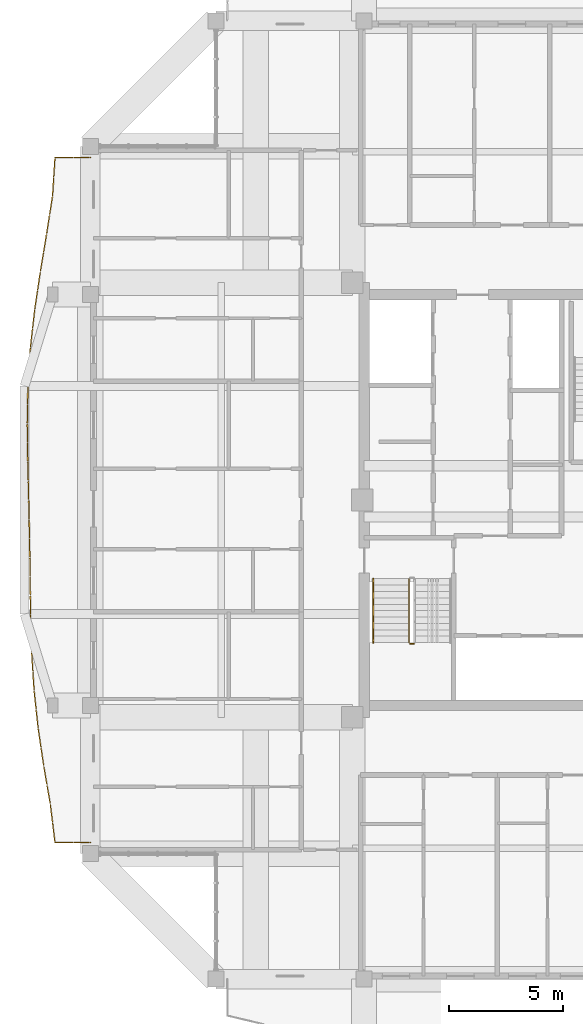
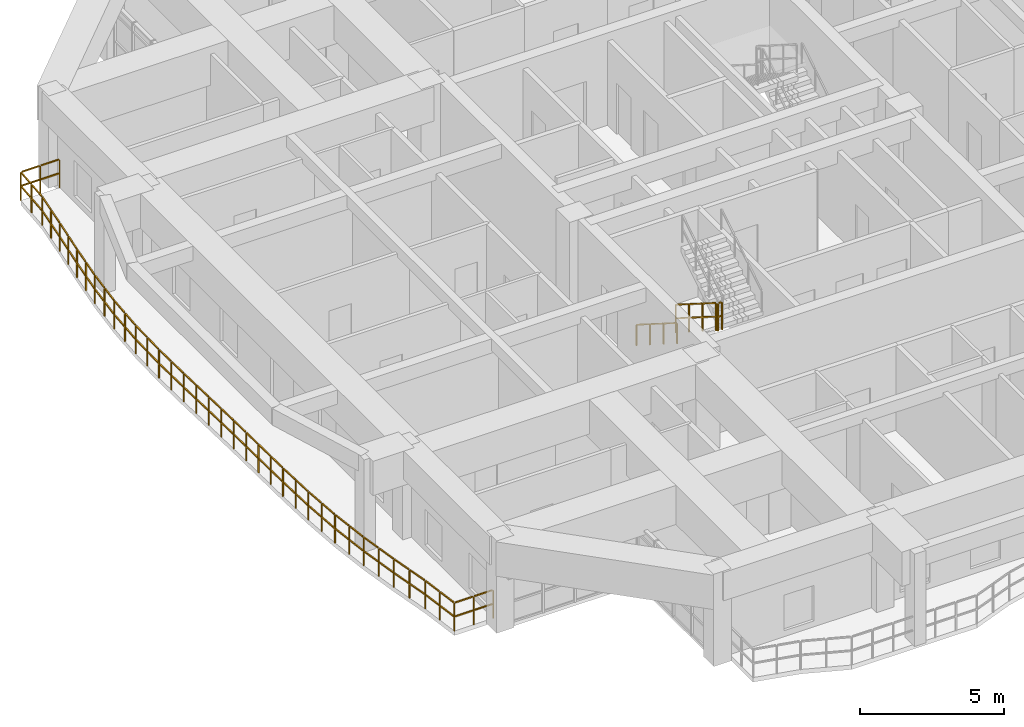
# One storey, part 19 of 22: 4 railings.
"""IFC4 building model written with IfcOpenShell, lengths in metres."""

from ifc_helpers import new_model, si_unit, direction, frame, origin, origin_2d, place, context, subcontext, project, spatial, rectangle, extrude, material, type_object, element, save


model = new_model("IFC4")

# Units and contexts
model_context = context("Model", 3, precision=1e-05, world=origin(), true_north=direction((0.0, 1.0)))
body_context = subcontext(model_context, "Body", "Model", "MODEL_VIEW")
ifc_project = project(units=[si_unit("LENGTHUNIT", "METRE"), si_unit("AREAUNIT", "SQUARE_METRE"), si_unit("VOLUMEUNIT", "CUBIC_METRE"), si_unit("PLANEANGLEUNIT", "RADIAN"), si_unit("MASSUNIT", "GRAM", prefix="KILO")], contexts=[model_context])

# Site, building, storey
site_placement = place(None, origin())
site = spatial("IfcSite", under=ifc_project, at=site_placement, CompositionType="ELEMENT")
building_placement = place(site_placement, origin())
building = spatial("IfcBuilding", under=site, at=building_placement, Name="Saelheon Loggia Tower", CompositionType="ELEMENT")
storey_placement = place(building_placement, frame((0.0, 0.0, 216.300048828125)))
storey = spatial("IfcBuildingStorey", under=building, at=storey_placement, Name="L67", CompositionType="ELEMENT", Elevation=216.300048828125)

# Railings
ifc_material_1 = material(Name="Architectural Precast Concrete and Laminated Glass Guard", Category="concrete")
railing_type_1 = type_object("IfcRailingType", Name="Guard_Loggia_RL_LOG", PredefinedType="BALUSTRADE", material=ifc_material_1)
railing_1_placement = place(storey_placement, frame((19.5, 42.0, 0.0)))
element("IfcRailing", 1, at=railing_1_placement, inside=storey, type_object=railing_type_1, Name="L67 West Loggia Balustrade", PredefinedType="BALUSTRADE", context=body_context, shape_type="SweptSolid", body=[
    extrude(rectangle(XDim=0.048095703125, YDim=0.048095703125, at=origin_2d()), frame((-0.033203125, 0.0, 1.19580078125), z_axis=(-1.0, 0.0, 0.0), x_axis=(0.0, -1.0, 0.0)), (0.0, 0.0, 1.0), 0.70849609375),
    extrude(rectangle(XDim=0.048095703125, YDim=0.048095703125, at=origin_2d()), frame((-0.033203125, 0.0, 0.60986328125), z_axis=(-1.0, 0.0, 0.0), x_axis=(0.0, -1.0, 0.0)), (0.0, 0.0, 1.0), 0.70849609375),
    extrude(rectangle(XDim=0.048095703125, YDim=0.048095703125, at=origin_2d()), frame((-0.808349609375, 0.0, 1.19580078125), z_axis=(-1.0, 0.0, 0.0), x_axis=(0.0, -1.0, 0.0)), (0.0, 0.0, 1.0), 0.70849609375),
    extrude(rectangle(XDim=0.048095703125, YDim=0.048095703125, at=origin_2d()), frame((-0.808349609375, 0.0, 0.60986328125), z_axis=(-1.0, 0.0, 0.0), x_axis=(0.0, -1.0, 0.0)), (0.0, 0.0, 1.0), 0.70849609375),
    extrude(rectangle(XDim=0.048095703125, YDim=0.048095703125, at=origin_2d()), frame((-1.55224609375, -0.033203125, 1.19580078125), z_axis=(-0.062860640859, -0.998022314295, 0.0), x_axis=(0.998022314295, -0.062860640859, 0.0)), (0.0, 0.0, 1.0), 0.7685546875),
    extrude(rectangle(XDim=0.048095703125, YDim=0.048095703125, at=origin_2d()), frame((-1.55224609375, -0.033203125, 0.60986328125), z_axis=(-0.062860640859, -0.998022314295, 0.0), x_axis=(0.998022314295, -0.062860640859, 0.0)), (0.0, 0.0, 1.0), 0.7685546875),
    extrude(rectangle(XDim=0.048095703125, YDim=0.048095703125, at=origin_2d()), frame((-1.604736328125, -0.866455078125, 1.19580078125), z_axis=(-0.062860640859, -0.998022314295, 0.0), x_axis=(0.998022314295, -0.062860640859, 0.0)), (0.0, 0.0, 1.0), 0.7685546875),
    extrude(rectangle(XDim=0.048095703125, YDim=0.048095703125, at=origin_2d()), frame((-1.604736328125, -0.866455078125, 0.60986328125), z_axis=(-0.062860640859, -0.998022314295, 0.0), x_axis=(0.998022314295, -0.062860640859, 0.0)), (0.0, 0.0, 1.0), 0.7685546875),
    extrude(rectangle(XDim=0.048095703125, YDim=0.048095703125, at=origin_2d()), frame((-1.66015625, -1.699462890625, 1.19580078125), z_axis=(-0.155145020329, -0.987891705941, 0.0), x_axis=(0.987891705941, -0.155145020329, 0.0)), (0.0, 0.0, 1.0), 0.777099609375),
    extrude(rectangle(XDim=0.048095703125, YDim=0.048095703125, at=origin_2d()), frame((-1.66015625, -1.699462890625, 0.60986328125), z_axis=(-0.155145020329, -0.987891705941, 0.0), x_axis=(0.987891705941, -0.155145020329, 0.0)), (0.0, 0.0, 1.0), 0.777099609375),
    extrude(rectangle(XDim=0.048095703125, YDim=0.048095703125, at=origin_2d()), frame((-1.791015625, -2.53271484375, 1.19580078125), z_axis=(-0.155145020329, -0.987891705941, 0.0), x_axis=(0.987891705941, -0.155145020329, 0.0)), (0.0, 0.0, 1.0), 0.777099609375),
    extrude(rectangle(XDim=0.048095703125, YDim=0.048095703125, at=origin_2d()), frame((-1.791015625, -2.53271484375, 0.60986328125), z_axis=(-0.155145020329, -0.987891705941, 0.0), x_axis=(0.987891705941, -0.155145020329, 0.0)), (0.0, 0.0, 1.0), 0.777099609375),
    extrude(rectangle(XDim=0.048095703125, YDim=0.048095703125, at=origin_2d()), frame((-1.922119140625, -3.365966796875, 1.19580078125), z_axis=(-0.162875459068, -0.986646636255, 0.0), x_axis=(0.986646636255, -0.162875459068, 0.0)), (0.0, 0.0, 1.0), 0.778076171875),
    extrude(rectangle(XDim=0.048095703125, YDim=0.048095703125, at=origin_2d()), frame((-1.922119140625, -3.365966796875, 0.60986328125), z_axis=(-0.162875459068, -0.986646636255, 0.0), x_axis=(0.986646636255, -0.162875459068, 0.0)), (0.0, 0.0, 1.0), 0.778076171875),
    extrude(rectangle(XDim=0.048095703125, YDim=0.048095703125, at=origin_2d()), frame((-2.059814453125, -4.199462890625, 1.19580078125), z_axis=(-0.162875459068, -0.986646636255, 0.0), x_axis=(0.986646636255, -0.162875459068, 0.0)), (0.0, 0.0, 1.0), 0.778076171875),
    extrude(rectangle(XDim=0.048095703125, YDim=0.048095703125, at=origin_2d()), frame((-2.059814453125, -4.199462890625, 0.60986328125), z_axis=(-0.162875459068, -0.986646636255, 0.0), x_axis=(0.986646636255, -0.162875459068, 0.0)), (0.0, 0.0, 1.0), 0.778076171875),
    extrude(rectangle(XDim=0.048095703125, YDim=0.048095703125, at=origin_2d()), frame((-2.19677734375, -5.032958984375, 1.19580078125), z_axis=(-0.147624907715, -0.989043419988, 0.0), x_axis=(0.989043419988, -0.147624907715, 0.0)), (0.0, 0.0, 1.0), 0.776123046875),
    extrude(rectangle(XDim=0.048095703125, YDim=0.048095703125, at=origin_2d()), frame((-2.19677734375, -5.032958984375, 0.60986328125), z_axis=(-0.147624907715, -0.989043419988, 0.0), x_axis=(0.989043419988, -0.147624907715, 0.0)), (0.0, 0.0, 1.0), 0.776123046875),
    extrude(rectangle(XDim=0.048095703125, YDim=0.048095703125, at=origin_2d()), frame((-2.3212890625, -5.8662109375, 1.19580078125), z_axis=(-0.147624907715, -0.989043419988, 0.0), x_axis=(0.989043419988, -0.147624907715, 0.0)), (0.0, 0.0, 1.0), 0.776123046875),
    extrude(rectangle(XDim=0.048095703125, YDim=0.048095703125, at=origin_2d()), frame((-2.3212890625, -5.8662109375, 0.60986328125), z_axis=(-0.147624907715, -0.989043419988, 0.0), x_axis=(0.989043419988, -0.147624907715, 0.0)), (0.0, 0.0, 1.0), 0.776123046875),
    extrude(rectangle(XDim=0.048095703125, YDim=0.048095703125, at=origin_2d()), frame((-2.4443359375, -6.69970703125, 1.19580078125), z_axis=(-0.111230457734, -0.993794639386, 0.0), x_axis=(0.993794639386, -0.111230457734, 0.0)), (0.0, 0.0, 1.0), 0.77197265625),
    extrude(rectangle(XDim=0.048095703125, YDim=0.048095703125, at=origin_2d()), frame((-2.4443359375, -6.69970703125, 0.60986328125), z_axis=(-0.111230457734, -0.993794639386, 0.0), x_axis=(0.993794639386, -0.111230457734, 0.0)), (0.0, 0.0, 1.0), 0.77197265625),
    extrude(rectangle(XDim=0.048095703125, YDim=0.048095703125, at=origin_2d()), frame((-2.53759765625, -7.532958984375, 1.19580078125), z_axis=(-0.111230457734, -0.993794639386, 0.0), x_axis=(0.993794639386, -0.111230457734, 0.0)), (0.0, 0.0, 1.0), 0.77197265625),
    extrude(rectangle(XDim=0.048095703125, YDim=0.048095703125, at=origin_2d()), frame((-2.53759765625, -7.532958984375, 0.60986328125), z_axis=(-0.111230457734, -0.993794639386, 0.0), x_axis=(0.993794639386, -0.111230457734, 0.0)), (0.0, 0.0, 1.0), 0.77197265625),
    extrude(rectangle(XDim=0.048095703125, YDim=0.048095703125, at=origin_2d()), frame((-2.62939453125, -8.366455078125, 1.19580078125), z_axis=(-0.063151852584, -0.998003929609, 0.0), x_axis=(0.998003929609, -0.063151852584, 0.0)), (0.0, 0.0, 1.0), 0.7685546875),
    extrude(rectangle(XDim=0.048095703125, YDim=0.048095703125, at=origin_2d()), frame((-2.62939453125, -8.366455078125, 0.60986328125), z_axis=(-0.063151852584, -0.998003929609, 0.0), x_axis=(0.998003929609, -0.063151852584, 0.0)), (0.0, 0.0, 1.0), 0.7685546875),
    extrude(rectangle(XDim=0.048095703125, YDim=0.048095703125, at=origin_2d()), frame((-2.68212890625, -9.19970703125, 1.19580078125), z_axis=(-0.063151852584, -0.998003929609, 0.0), x_axis=(0.998003929609, -0.063151852584, 0.0)), (0.0, 0.0, 1.0), 0.7685546875),
    extrude(rectangle(XDim=0.048095703125, YDim=0.048095703125, at=origin_2d()), frame((-2.68212890625, -9.19970703125, 0.60986328125), z_axis=(-0.063151852584, -0.998003929609, 0.0), x_axis=(0.998003929609, -0.063151852584, 0.0)), (0.0, 0.0, 1.0), 0.7685546875),
    extrude(rectangle(XDim=0.048095703125, YDim=0.048095703125, at=origin_2d()), frame((-2.733154296875, -10.033203125, 1.19580078125), z_axis=(-0.017574552025, -0.999845555634, 0.0), x_axis=(0.999845555634, -0.017574552025, 0.0)), (0.0, 0.0, 1.0), 0.76708984375),
    extrude(rectangle(XDim=0.048095703125, YDim=0.048095703125, at=origin_2d()), frame((-2.733154296875, -10.033203125, 0.60986328125), z_axis=(-0.017574552025, -0.999845555634, 0.0), x_axis=(0.999845555634, -0.017574552025, 0.0)), (0.0, 0.0, 1.0), 0.76708984375),
    extrude(rectangle(XDim=0.048095703125, YDim=0.048095703125, at=origin_2d()), frame((-2.747802734375, -10.86669921875, 1.19580078125), z_axis=(-0.017574552025, -0.999845555634, 0.0), x_axis=(0.999845555634, -0.017574552025, 0.0)), (0.0, 0.0, 1.0), 0.76708984375),
    extrude(rectangle(XDim=0.048095703125, YDim=0.048095703125, at=origin_2d()), frame((-2.747802734375, -10.86669921875, 0.60986328125), z_axis=(-0.017574552025, -0.999845555634, 0.0), x_axis=(0.999845555634, -0.017574552025, 0.0)), (0.0, 0.0, 1.0), 0.76708984375),
    extrude(rectangle(XDim=0.048095703125, YDim=0.048095703125, at=origin_2d()), frame((-2.761474609375, -11.699951171875, 1.19580078125), z_axis=(0.013623113053, -0.99990720109, 0.0), x_axis=(0.99990720109, 0.013623113053, 0.0)), (0.0, 0.0, 1.0), 0.766845703125),
    extrude(rectangle(XDim=0.048095703125, YDim=0.048095703125, at=origin_2d()), frame((-2.761474609375, -11.699951171875, 0.60986328125), z_axis=(0.013623113053, -0.99990720109, 0.0), x_axis=(0.99990720109, 0.013623113053, 0.0)), (0.0, 0.0, 1.0), 0.766845703125),
    extrude(rectangle(XDim=0.048095703125, YDim=0.048095703125, at=origin_2d()), frame((-2.750244140625, -12.533203125, 1.19580078125), z_axis=(0.013623113053, -0.99990720109, 0.0), x_axis=(0.99990720109, 0.013623113053, 0.0)), (0.0, 0.0, 1.0), 0.766845703125),
    extrude(rectangle(XDim=0.048095703125, YDim=0.048095703125, at=origin_2d()), frame((-2.750244140625, -12.533203125, 0.60986328125), z_axis=(0.013623113053, -0.99990720109, 0.0), x_axis=(0.99990720109, 0.013623113053, 0.0)), (0.0, 0.0, 1.0), 0.766845703125),
    extrude(rectangle(XDim=0.048095703125, YDim=0.048095703125, at=origin_2d()), frame((-2.738525390625, -13.366455078125, 1.19580078125), z_axis=(0.025186090256, -0.999682780115, 0.0), x_axis=(0.999682780115, 0.025186090256, 0.0)), (0.0, 0.0, 1.0), 0.76708984375),
    extrude(rectangle(XDim=0.048095703125, YDim=0.048095703125, at=origin_2d()), frame((-2.738525390625, -13.366455078125, 0.60986328125), z_axis=(0.025186090256, -0.999682780115, 0.0), x_axis=(0.999682780115, 0.025186090256, 0.0)), (0.0, 0.0, 1.0), 0.76708984375),
    extrude(rectangle(XDim=0.048095703125, YDim=0.048095703125, at=origin_2d()), frame((-2.717529296875, -14.199951171875, 1.19580078125), z_axis=(0.025186090256, -0.999682780115, 0.0), x_axis=(0.999682780115, 0.025186090256, 0.0)), (0.0, 0.0, 1.0), 0.76708984375),
    extrude(rectangle(XDim=0.048095703125, YDim=0.048095703125, at=origin_2d()), frame((-2.717529296875, -14.199951171875, 0.60986328125), z_axis=(0.025186090256, -0.999682780115, 0.0), x_axis=(0.999682780115, 0.025186090256, 0.0)), (0.0, 0.0, 1.0), 0.76708984375),
    extrude(rectangle(XDim=0.048095703125, YDim=0.048095703125, at=origin_2d()), frame((-2.696533203125, -15.033203125, 1.19580078125), z_axis=(0.021088029542, -0.999777622779, 0.0), x_axis=(0.999777622779, 0.021088029542, 0.0)), (0.0, 0.0, 1.0), 0.76708984375),
    extrude(rectangle(XDim=0.048095703125, YDim=0.048095703125, at=origin_2d()), frame((-2.696533203125, -15.033203125, 0.60986328125), z_axis=(0.021088029542, -0.999777622779, 0.0), x_axis=(0.999777622779, 0.021088029542, 0.0)), (0.0, 0.0, 1.0), 0.76708984375),
    extrude(rectangle(XDim=0.048095703125, YDim=0.048095703125, at=origin_2d()), frame((-2.678955078125, -15.86669921875, 1.19580078125), z_axis=(0.021088029542, -0.999777622779, 0.0), x_axis=(0.999777622779, 0.021088029542, 0.0)), (0.0, 0.0, 1.0), 0.76708984375),
    extrude(rectangle(XDim=0.048095703125, YDim=0.048095703125, at=origin_2d()), frame((-2.678955078125, -15.86669921875, 0.60986328125), z_axis=(0.021088029542, -0.999777622779, 0.0), x_axis=(0.999777622779, 0.021088029542, 0.0)), (0.0, 0.0, 1.0), 0.76708984375),
    extrude(rectangle(XDim=0.048095703125, YDim=0.048095703125, at=origin_2d()), frame((-2.66162109375, -16.699951171875, 1.19580078125), z_axis=(0.012744350207, -0.999918787471, 0.0), x_axis=(0.999918787471, 0.012744350207, 0.0)), (0.0, 0.0, 1.0), 0.766845703125),
    extrude(rectangle(XDim=0.048095703125, YDim=0.048095703125, at=origin_2d()), frame((-2.66162109375, -16.699951171875, 0.60986328125), z_axis=(0.012744350207, -0.999918787471, 0.0), x_axis=(0.999918787471, 0.012744350207, 0.0)), (0.0, 0.0, 1.0), 0.766845703125),
    extrude(rectangle(XDim=0.048095703125, YDim=0.048095703125, at=origin_2d()), frame((-2.651123046875, -17.533203125, 1.19580078125), z_axis=(0.012744350207, -0.999918787471, 0.0), x_axis=(0.999918787471, 0.012744350207, 0.0)), (0.0, 0.0, 1.0), 0.766845703125),
    extrude(rectangle(XDim=0.048095703125, YDim=0.048095703125, at=origin_2d()), frame((-2.651123046875, -17.533203125, 0.60986328125), z_axis=(0.012744350207, -0.999918787471, 0.0), x_axis=(0.999918787471, 0.012744350207, 0.0)), (0.0, 0.0, 1.0), 0.766845703125),
    extrude(rectangle(XDim=0.048095703125, YDim=0.048095703125, at=origin_2d()), frame((-2.640380859375, -18.366455078125, 1.19580078125), z_axis=(0.012156711099, -0.999926104457, 0.0), x_axis=(0.999926104457, 0.012156711099, 0.0)), (0.0, 0.0, 1.0), 0.766845703125),
    extrude(rectangle(XDim=0.048095703125, YDim=0.048095703125, at=origin_2d()), frame((-2.640380859375, -18.366455078125, 0.60986328125), z_axis=(0.012156711099, -0.999926104457, 0.0), x_axis=(0.999926104457, 0.012156711099, 0.0)), (0.0, 0.0, 1.0), 0.766845703125),
    extrude(rectangle(XDim=0.048095703125, YDim=0.048095703125, at=origin_2d()), frame((-2.63037109375, -19.199951171875, 1.19580078125), z_axis=(0.012156711099, -0.999926104457, 0.0), x_axis=(0.999926104457, 0.012156711099, 0.0)), (0.0, 0.0, 1.0), 0.766845703125),
    extrude(rectangle(XDim=0.048095703125, YDim=0.048095703125, at=origin_2d()), frame((-2.63037109375, -19.199951171875, 0.60986328125), z_axis=(0.012156711099, -0.999926104457, 0.0), x_axis=(0.999926104457, 0.012156711099, 0.0)), (0.0, 0.0, 1.0), 0.766845703125),
    extrude(rectangle(XDim=0.048095703125, YDim=0.048095703125, at=origin_2d()), frame((-2.61962890625, -20.033203125, 1.19580078125), z_axis=(0.028844006627, -0.999583925082, 0.0), x_axis=(0.999583925082, 0.028844006627, 0.0)), (0.0, 0.0, 1.0), 0.767333984375),
    extrude(rectangle(XDim=0.048095703125, YDim=0.048095703125, at=origin_2d()), frame((-2.61962890625, -20.033203125, 0.60986328125), z_axis=(0.028844006627, -0.999583925082, 0.0), x_axis=(0.999583925082, 0.028844006627, 0.0)), (0.0, 0.0, 1.0), 0.767333984375),
    extrude(rectangle(XDim=0.048095703125, YDim=0.048095703125, at=origin_2d()), frame((-2.595703125, -20.86669921875, 1.19580078125), z_axis=(0.028844006627, -0.999583925082, 0.0), x_axis=(0.999583925082, 0.028844006627, 0.0)), (0.0, 0.0, 1.0), 0.767333984375),
    extrude(rectangle(XDim=0.048095703125, YDim=0.048095703125, at=origin_2d()), frame((-2.595703125, -20.86669921875, 0.60986328125), z_axis=(0.028844006627, -0.999583925082, 0.0), x_axis=(0.999583925082, 0.028844006627, 0.0)), (0.0, 0.0, 1.0), 0.767333984375),
    extrude(rectangle(XDim=0.048095703125, YDim=0.048095703125, at=origin_2d()), frame((-2.5703125, -21.699951171875, 1.19580078125), z_axis=(0.063161067342, -0.998003346473, 0.0), x_axis=(0.998003346473, 0.063161067342, 0.0)), (0.0, 0.0, 1.0), 0.7685546875),
    extrude(rectangle(XDim=0.048095703125, YDim=0.048095703125, at=origin_2d()), frame((-2.5703125, -21.699951171875, 0.60986328125), z_axis=(0.063161067342, -0.998003346473, 0.0), x_axis=(0.998003346473, 0.063161067342, 0.0)), (0.0, 0.0, 1.0), 0.7685546875),
    extrude(rectangle(XDim=0.048095703125, YDim=0.048095703125, at=origin_2d()), frame((-2.517578125, -22.533203125, 1.19580078125), z_axis=(0.063161067342, -0.998003346473, 0.0), x_axis=(0.998003346473, 0.063161067342, 0.0)), (0.0, 0.0, 1.0), 0.7685546875),
    extrude(rectangle(XDim=0.048095703125, YDim=0.048095703125, at=origin_2d()), frame((-2.517578125, -22.533203125, 0.60986328125), z_axis=(0.063161067342, -0.998003346473, 0.0), x_axis=(0.998003346473, 0.063161067342, 0.0)), (0.0, 0.0, 1.0), 0.7685546875),
    extrude(rectangle(XDim=0.048095703125, YDim=0.048095703125, at=origin_2d()), frame((-2.46337890625, -23.3662109375, 1.19580078125), z_axis=(0.106754244284, -0.994285437552, 0.0), x_axis=(0.994285437552, 0.106754244284, 0.0)), (0.0, 0.0, 1.0), 0.771728515625),
    extrude(rectangle(XDim=0.048095703125, YDim=0.048095703125, at=origin_2d()), frame((-2.46337890625, -23.3662109375, 0.60986328125), z_axis=(0.106754244284, -0.994285437552, 0.0), x_axis=(0.994285437552, 0.106754244284, 0.0)), (0.0, 0.0, 1.0), 0.771728515625),
    extrude(rectangle(XDim=0.048095703125, YDim=0.048095703125, at=origin_2d()), frame((-2.3740234375, -24.19970703125, 1.19580078125), z_axis=(0.106754244284, -0.994285437552, 0.0), x_axis=(0.994285437552, 0.106754244284, 0.0)), (0.0, 0.0, 1.0), 0.771728515625),
    extrude(rectangle(XDim=0.048095703125, YDim=0.048095703125, at=origin_2d()), frame((-2.3740234375, -24.19970703125, 0.60986328125), z_axis=(0.106754244284, -0.994285437552, 0.0), x_axis=(0.994285437552, 0.106754244284, 0.0)), (0.0, 0.0, 1.0), 0.771728515625),
    extrude(rectangle(XDim=0.048095703125, YDim=0.048095703125, at=origin_2d()), frame((-2.283203125, -25.032958984375, 1.19580078125), z_axis=(0.146632679604, -0.98919101152, 0.0), x_axis=(0.98919101152, 0.146632679604, 0.0)), (0.0, 0.0, 1.0), 0.776123046875),
    extrude(rectangle(XDim=0.048095703125, YDim=0.048095703125, at=origin_2d()), frame((-2.283203125, -25.032958984375, 0.60986328125), z_axis=(0.146632679604, -0.98919101152, 0.0), x_axis=(0.98919101152, 0.146632679604, 0.0)), (0.0, 0.0, 1.0), 0.776123046875),
    extrude(rectangle(XDim=0.048095703125, YDim=0.048095703125, at=origin_2d()), frame((-2.15966796875, -25.8662109375, 1.19580078125), z_axis=(0.146632679604, -0.98919101152, 0.0), x_axis=(0.98919101152, 0.146632679604, 0.0)), (0.0, 0.0, 1.0), 0.776123046875),
    extrude(rectangle(XDim=0.048095703125, YDim=0.048095703125, at=origin_2d()), frame((-2.15966796875, -25.8662109375, 0.60986328125), z_axis=(0.146632679604, -0.98919101152, 0.0), x_axis=(0.98919101152, 0.146632679604, 0.0)), (0.0, 0.0, 1.0), 0.776123046875),
    extrude(rectangle(XDim=0.048095703125, YDim=0.048095703125, at=origin_2d()), frame((-2.035400390625, -26.699462890625, 1.19580078125), z_axis=(0.170061614691, -0.98543343114, 0.0), x_axis=(0.98543343114, 0.170061614691, 0.0)), (0.0, 0.0, 1.0), 0.779052734375),
    extrude(rectangle(XDim=0.048095703125, YDim=0.048095703125, at=origin_2d()), frame((-2.035400390625, -26.699462890625, 0.60986328125), z_axis=(0.170061614691, -0.98543343114, 0.0), x_axis=(0.98543343114, 0.170061614691, 0.0)), (0.0, 0.0, 1.0), 0.779052734375),
    extrude(rectangle(XDim=0.048095703125, YDim=0.048095703125, at=origin_2d()), frame((-1.8916015625, -27.53271484375, 1.19580078125), z_axis=(0.170061614691, -0.98543343114, 0.0), x_axis=(0.98543343114, 0.170061614691, 0.0)), (0.0, 0.0, 1.0), 0.779052734375),
    extrude(rectangle(XDim=0.048095703125, YDim=0.048095703125, at=origin_2d()), frame((-1.8916015625, -27.53271484375, 0.60986328125), z_axis=(0.170061614691, -0.98543343114, 0.0), x_axis=(0.98543343114, 0.170061614691, 0.0)), (0.0, 0.0, 1.0), 0.779052734375),
    extrude(rectangle(XDim=0.048095703125, YDim=0.048095703125, at=origin_2d()), frame((-1.74951171875, -28.3662109375, 1.19580078125), z_axis=(0.121117273297, -0.992638205042, 0.0), x_axis=(0.992638205042, 0.121117273297, 0.0)), (0.0, 0.0, 1.0), 0.773193359375),
    extrude(rectangle(XDim=0.048095703125, YDim=0.048095703125, at=origin_2d()), frame((-1.74951171875, -28.3662109375, 0.60986328125), z_axis=(0.121117273297, -0.992638205042, 0.0), x_axis=(0.992638205042, 0.121117273297, 0.0)), (0.0, 0.0, 1.0), 0.773193359375),
    extrude(rectangle(XDim=0.048095703125, YDim=0.048095703125, at=origin_2d()), frame((-1.647705078125, -29.19970703125, 1.19580078125), z_axis=(0.121117273297, -0.992638205042, 0.0), x_axis=(0.992638205042, 0.121117273297, 0.0)), (0.0, 0.0, 1.0), 0.773193359375),
    extrude(rectangle(XDim=0.048095703125, YDim=0.048095703125, at=origin_2d()), frame((-1.647705078125, -29.19970703125, 0.60986328125), z_axis=(0.121117273297, -0.992638205042, 0.0), x_axis=(0.992638205042, 0.121117273297, 0.0)), (0.0, 0.0, 1.0), 0.773193359375),
    extrude(rectangle(XDim=0.048095703125, YDim=0.048095703125, at=origin_2d()), frame((-1.516845703125, -30.0, 1.19580078125), z_axis=(1.0, 0.0, 0.0), x_axis=(0.0, 1.0, 0.0)), (0.0, 0.0, 1.0), 0.70849609375),
    extrude(rectangle(XDim=0.048095703125, YDim=0.048095703125, at=origin_2d()), frame((-1.516845703125, -30.0, 0.60986328125), z_axis=(1.0, 0.0, 0.0), x_axis=(0.0, 1.0, 0.0)), (0.0, 0.0, 1.0), 0.70849609375),
    extrude(rectangle(XDim=0.048095703125, YDim=0.048095703125, at=origin_2d()), frame((-0.74169921875, -30.0, 1.19580078125), z_axis=(1.0, 0.0, 0.0), x_axis=(0.0, 1.0, 0.0)), (0.0, 0.0, 1.0), 0.70849609375),
    extrude(rectangle(XDim=0.048095703125, YDim=0.048095703125, at=origin_2d()), frame((-0.74169921875, -30.0, 0.60986328125), z_axis=(1.0, 0.0, 0.0), x_axis=(0.0, 1.0, 0.0)), (0.0, 0.0, 1.0), 0.70849609375),
    extrude(rectangle(XDim=0.0419921875, YDim=0.0419921875, at=origin_2d()), origin(), (0.0, 0.0, 1.0), 1.16796875),
    extrude(rectangle(XDim=0.0419921875, YDim=0.0419921875, at=origin_2d()), frame((-0.77490234375, 0.0, 0.0)), (0.0, 0.0, 1.0), 1.16796875),
    extrude(rectangle(XDim=0.0419921875, YDim=0.0419921875, at=origin_2d()), frame((-1.550048828125, 0.0, 0.0)), (0.0, 0.0, 1.0), 1.16796875),
    extrude(rectangle(XDim=0.0419921875, YDim=0.0419921875, at=origin_2d()), frame((-1.6025390625, -0.83349609375, 0.0)), (0.0, 0.0, 1.0), 1.16796875),
    extrude(rectangle(XDim=0.0419921875, YDim=0.0419921875, at=origin_2d()), frame((-1.655029296875, -1.666748046875, 0.0)), (0.0, 0.0, 1.0), 1.16796875),
    extrude(rectangle(XDim=0.0419921875, YDim=0.0419921875, at=origin_2d()), frame((-1.785888671875, -2.5, 0.0)), (0.0, 0.0, 1.0), 1.16796875),
    extrude(rectangle(XDim=0.0419921875, YDim=0.0419921875, at=origin_2d()), frame((-1.916748046875, -3.333251953125, 0.0)), (0.0, 0.0, 1.0), 1.16796875),
    extrude(rectangle(XDim=0.0419921875, YDim=0.0419921875, at=origin_2d()), frame((-2.05419921875, -4.16650390625, 0.0)), (0.0, 0.0, 1.0), 1.16796875),
    extrude(rectangle(XDim=0.0419921875, YDim=0.0419921875, at=origin_2d()), frame((-2.19189453125, -5.0, 0.0)), (0.0, 0.0, 1.0), 1.16796875),
    extrude(rectangle(XDim=0.0419921875, YDim=0.0419921875, at=origin_2d()), frame((-2.31640625, -5.83349609375, 0.0)), (0.0, 0.0, 1.0), 1.16796875),
    extrude(rectangle(XDim=0.0419921875, YDim=0.0419921875, at=origin_2d()), frame((-2.440673828125, -6.666748046875, 0.0)), (0.0, 0.0, 1.0), 1.16796875),
    extrude(rectangle(XDim=0.0419921875, YDim=0.0419921875, at=origin_2d()), frame((-2.533935546875, -7.5, 0.0)), (0.0, 0.0, 1.0), 1.16796875),
    extrude(rectangle(XDim=0.0419921875, YDim=0.0419921875, at=origin_2d()), frame((-2.627197265625, -8.333251953125, 0.0)), (0.0, 0.0, 1.0), 1.16796875),
    extrude(rectangle(XDim=0.0419921875, YDim=0.0419921875, at=origin_2d()), frame((-2.679931640625, -9.16650390625, 0.0)), (0.0, 0.0, 1.0), 1.16796875),
    extrude(rectangle(XDim=0.0419921875, YDim=0.0419921875, at=origin_2d()), frame((-2.732666015625, -10.0, 0.0)), (0.0, 0.0, 1.0), 1.16796875),
    extrude(rectangle(XDim=0.0419921875, YDim=0.0419921875, at=origin_2d()), frame((-2.747314453125, -10.83349609375, 0.0)), (0.0, 0.0, 1.0), 1.16796875),
    extrude(rectangle(XDim=0.0419921875, YDim=0.0419921875, at=origin_2d()), frame((-2.761962890625, -11.666748046875, 0.0)), (0.0, 0.0, 1.0), 1.16796875),
    extrude(rectangle(XDim=0.0419921875, YDim=0.0419921875, at=origin_2d()), frame((-2.75048828125, -12.5, 0.0)), (0.0, 0.0, 1.0), 1.16796875),
    extrude(rectangle(XDim=0.0419921875, YDim=0.0419921875, at=origin_2d()), frame((-2.7392578125, -13.333251953125, 0.0)), (0.0, 0.0, 1.0), 1.16796875),
    extrude(rectangle(XDim=0.0419921875, YDim=0.0419921875, at=origin_2d()), frame((-2.71826171875, -14.16650390625, 0.0)), (0.0, 0.0, 1.0), 1.16796875),
    extrude(rectangle(XDim=0.0419921875, YDim=0.0419921875, at=origin_2d()), frame((-2.697265625, -15.0, 0.0)), (0.0, 0.0, 1.0), 1.16796875),
    extrude(rectangle(XDim=0.0419921875, YDim=0.0419921875, at=origin_2d()), frame((-2.6796875, -15.83349609375, 0.0)), (0.0, 0.0, 1.0), 1.16796875),
    extrude(rectangle(XDim=0.0419921875, YDim=0.0419921875, at=origin_2d()), frame((-2.662109375, -16.666748046875, 0.0)), (0.0, 0.0, 1.0), 1.16796875),
    extrude(rectangle(XDim=0.0419921875, YDim=0.0419921875, at=origin_2d()), frame((-2.6513671875, -17.5, 0.0)), (0.0, 0.0, 1.0), 1.16796875),
    extrude(rectangle(XDim=0.0419921875, YDim=0.0419921875, at=origin_2d()), frame((-2.640869140625, -18.333251953125, 0.0)), (0.0, 0.0, 1.0), 1.16796875),
    extrude(rectangle(XDim=0.0419921875, YDim=0.0419921875, at=origin_2d()), frame((-2.630859375, -19.16650390625, 0.0)), (0.0, 0.0, 1.0), 1.16796875),
    extrude(rectangle(XDim=0.0419921875, YDim=0.0419921875, at=origin_2d()), frame((-2.62060546875, -20.0, 0.0)), (0.0, 0.0, 1.0), 1.16796875),
    extrude(rectangle(XDim=0.0419921875, YDim=0.0419921875, at=origin_2d()), frame((-2.5966796875, -20.83349609375, 0.0)), (0.0, 0.0, 1.0), 1.16796875),
    extrude(rectangle(XDim=0.0419921875, YDim=0.0419921875, at=origin_2d()), frame((-2.572509765625, -21.666748046875, 0.0)), (0.0, 0.0, 1.0), 1.16796875),
    extrude(rectangle(XDim=0.0419921875, YDim=0.0419921875, at=origin_2d()), frame((-2.519775390625, -22.5, 0.0)), (0.0, 0.0, 1.0), 1.16796875),
    extrude(rectangle(XDim=0.0419921875, YDim=0.0419921875, at=origin_2d()), frame((-2.467041015625, -23.333251953125, 0.0)), (0.0, 0.0, 1.0), 1.16796875),
    extrude(rectangle(XDim=0.0419921875, YDim=0.0419921875, at=origin_2d()), frame((-2.37744140625, -24.16650390625, 0.0)), (0.0, 0.0, 1.0), 1.16796875),
    extrude(rectangle(XDim=0.0419921875, YDim=0.0419921875, at=origin_2d()), frame((-2.2880859375, -25.0, 0.0)), (0.0, 0.0, 1.0), 1.16796875),
    extrude(rectangle(XDim=0.0419921875, YDim=0.0419921875, at=origin_2d()), frame((-2.16455078125, -25.83349609375, 0.0)), (0.0, 0.0, 1.0), 1.16796875),
    extrude(rectangle(XDim=0.0419921875, YDim=0.0419921875, at=origin_2d()), frame((-2.041015625, -26.666748046875, 0.0)), (0.0, 0.0, 1.0), 1.16796875),
    extrude(rectangle(XDim=0.0419921875, YDim=0.0419921875, at=origin_2d()), frame((-1.897216796875, -27.5, 0.0)), (0.0, 0.0, 1.0), 1.16796875),
    extrude(rectangle(XDim=0.0419921875, YDim=0.0419921875, at=origin_2d()), frame((-1.75341796875, -28.333251953125, 0.0)), (0.0, 0.0, 1.0), 1.16796875),
    extrude(rectangle(XDim=0.0419921875, YDim=0.0419921875, at=origin_2d()), frame((-1.65185546875, -29.16650390625, 0.0)), (0.0, 0.0, 1.0), 1.16796875),
    extrude(rectangle(XDim=0.0419921875, YDim=0.0419921875, at=origin_2d()), frame((-1.550048828125, -30.0, 0.0)), (0.0, 0.0, 1.0), 1.16796875),
    extrude(rectangle(XDim=0.0419921875, YDim=0.0419921875, at=origin_2d()), frame((-0.77490234375, -30.0, 0.0)), (0.0, 0.0, 1.0), 1.16796875),
    extrude(rectangle(XDim=0.0419921875, YDim=0.0419921875, at=origin_2d()), frame((0.0, -30.0, 0.0)), (0.0, 0.0, 1.0), 1.16796875),
])
ifc_material_2 = material(Name="Galvanised Steel S275 Stairwell Guardrail", Category="steel")
railing_type_2 = type_object("IfcRailingType", Name="Guard_StairWell_RL_STG", PredefinedType="GUARDRAIL", material=ifc_material_2)
railing_2_placement = place(storey_placement, frame((33.4599609375, 23.550048828125, 0.17724609375)))
element("IfcRailing", 2, at=railing_2_placement, inside=storey, type_object=railing_type_2, Name="L67 ST1 stair guard 1", PredefinedType="GUARDRAIL", context=body_context, shape_type="SweptSolid", body=[
    extrude(rectangle(XDim=0.048095703125, YDim=0.048095703125, at=origin_2d()), frame((0.0, -0.028076171875, 1.193603515625), z_axis=(0.0, -0.844908973607, 0.534910110503), x_axis=(1.0, 0.0, 0.0)), (0.0, 0.0, 1.0), 1.0380859375),
    extrude(rectangle(XDim=0.048095703125, YDim=0.048095703125, at=origin_2d()), frame((0.0, -0.028076171875, 0.61767578125), z_axis=(0.0, -0.844908973607, 0.534910110503), x_axis=(1.0, 0.0, 0.0)), (0.0, 0.0, 1.0), 1.0380859375),
    extrude(rectangle(XDim=0.048095703125, YDim=0.048095703125, at=origin_2d()), frame((0.0, -0.96142578125, 1.78466796875), z_axis=(0.0, -0.844908973607, 0.534910110503), x_axis=(1.0, 0.0, 0.0)), (0.0, 0.0, 1.0), 1.0380859375),
    extrude(rectangle(XDim=0.048095703125, YDim=0.048095703125, at=origin_2d()), frame((0.0, -0.96142578125, 1.208740234375), z_axis=(0.0, -0.844908973607, 0.534910110503), x_axis=(1.0, 0.0, 0.0)), (0.0, 0.0, 1.0), 1.0380859375),
    extrude(rectangle(XDim=0.048095703125, YDim=0.048095703125, at=origin_2d()), frame((0.0, -1.894775390625, 2.37548828125), z_axis=(0.0, -0.844908973607, 0.534910110503), x_axis=(1.0, 0.0, 0.0)), (0.0, 0.0, 1.0), 1.0380859375),
    extrude(rectangle(XDim=0.048095703125, YDim=0.048095703125, at=origin_2d()), frame((0.0, -1.894775390625, 1.799560546875), z_axis=(0.0, -0.844908973607, 0.534910110503), x_axis=(1.0, 0.0, 0.0)), (0.0, 0.0, 1.0), 1.0380859375),
    extrude(rectangle(XDim=0.0419921875, YDim=0.0419921875, at=origin_2d()), origin(), (0.0, 0.0, 1.0), 1.14794921875),
    extrude(rectangle(XDim=0.0419921875, YDim=0.0419921875, at=origin_2d()), frame((0.0, -0.933349609375, 0.5908203125)), (0.0, 0.0, 1.0), 1.14794921875),
    extrude(rectangle(XDim=0.0419921875, YDim=0.0419921875, at=origin_2d()), frame((0.0, -1.86669921875, 1.181884765625)), (0.0, 0.0, 1.0), 1.14794921875),
    extrude(rectangle(XDim=0.0419921875, YDim=0.0419921875, at=origin_2d()), frame((0.0, -2.800048828125, 1.772705078125)), (0.0, 0.0, 1.0), 1.14794921875),
])
railing_3_placement = place(storey_placement, frame((33.510009765625, 20.699951171875, 1.949951171875)))
element("IfcRailing", 3, at=railing_3_placement, inside=storey, type_object=railing_type_2, Name="L67 ST1 stair guard 2", PredefinedType="GUARDRAIL", context=body_context, shape_type="SweptSolid", body=[
    extrude(rectangle(XDim=0.048095703125, YDim=0.048095703125, at=origin_2d()), frame((0.033203125, 0.0, 1.17578125), z_axis=(1.0, 0.0, 0.0), x_axis=(0.0, 1.0, 0.0)), (0.0, 0.0, 1.0), 0.093505859375),
    extrude(rectangle(XDim=0.048095703125, YDim=0.048095703125, at=origin_2d()), frame((0.033203125, 0.0, 0.60009765625), z_axis=(1.0, 0.0, 0.0), x_axis=(0.0, 1.0, 0.0)), (0.0, 0.0, 1.0), 0.093505859375),
    extrude(rectangle(XDim=0.0419921875, YDim=0.0419921875, at=origin_2d()), origin(), (0.0, 0.0, 1.0), 1.14794921875),
    extrude(rectangle(XDim=0.0419921875, YDim=0.0419921875, at=origin_2d()), frame((0.159912109375, 0.0, 0.0)), (0.0, 0.0, 1.0), 1.14794921875),
])
ifc_material_3 = material(Name="Stainless Steel 304 Tubular Handrail", Category="steel")
railing_type_3 = type_object("IfcRailingType", Name="Handrail_Stair_RL_HR1", PredefinedType="HANDRAIL", material=ifc_material_3)
railing_4_placement = place(storey_placement, frame((31.89990234375, 23.550048828125, 0.17724609375)))
element("IfcRailing", 4, at=railing_4_placement, inside=storey, type_object=railing_type_3, Name="L67 ST1 stair handrail 1", PredefinedType="HANDRAIL", context=body_context, shape_type="SweptSolid", body=[
    extrude(rectangle(XDim=0.048095703125, YDim=0.048095703125, at=origin_2d()), frame((0.0, -0.028076171875, 0.8935546875), z_axis=(0.0, -0.844908973607, 0.534910110503), x_axis=(1.0, 0.0, 0.0)), (0.0, 0.0, 1.0), 1.0380859375),
    extrude(rectangle(XDim=0.048095703125, YDim=0.048095703125, at=origin_2d()), frame((0.0, -0.96142578125, 1.484619140625), z_axis=(0.0, -0.844908973607, 0.534910110503), x_axis=(1.0, 0.0, 0.0)), (0.0, 0.0, 1.0), 1.0380859375),
    extrude(rectangle(XDim=0.048095703125, YDim=0.048095703125, at=origin_2d()), frame((0.0, -1.894775390625, 2.075439453125), z_axis=(0.0, -0.844908973607, 0.534910110503), x_axis=(1.0, 0.0, 0.0)), (0.0, 0.0, 1.0), 1.0380859375),
    extrude(rectangle(XDim=0.0419921875, YDim=0.0419921875, at=origin_2d()), origin(), (0.0, 0.0, 1.0), 0.847900390625),
    extrude(rectangle(XDim=0.0419921875, YDim=0.0419921875, at=origin_2d()), frame((0.0, -0.933349609375, 0.5908203125)), (0.0, 0.0, 1.0), 0.847900390625),
    extrude(rectangle(XDim=0.0419921875, YDim=0.0419921875, at=origin_2d()), frame((0.0, -1.86669921875, 1.181884765625)), (0.0, 0.0, 1.0), 0.847900390625),
    extrude(rectangle(XDim=0.0419921875, YDim=0.0419921875, at=origin_2d()), frame((0.0, -2.800048828125, 1.772705078125)), (0.0, 0.0, 1.0), 0.847900390625),
])

save(model, "model.ifc")
